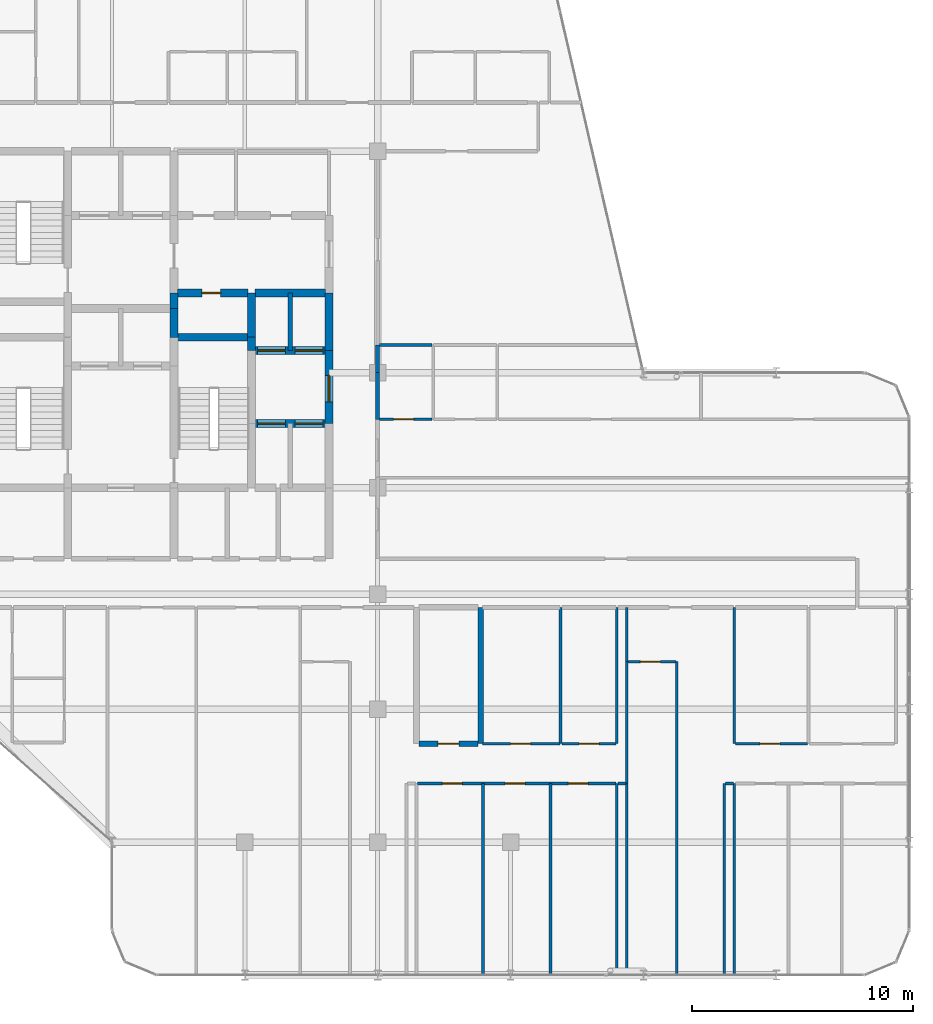
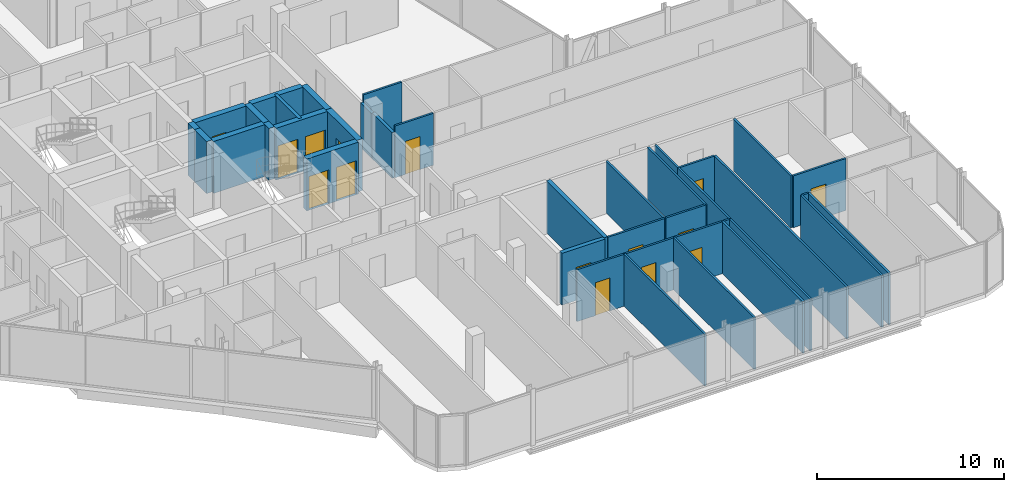
# One storey, part 25 of 29: 37 walls, 15 doors, 15 openings.
"""IFC4 building model written with IfcOpenShell, lengths in metres."""

from ifc_helpers import new_model, si_unit, direction, frame, frame_2d, origin, place, context, subcontext, project, spatial, rectangle, extrude, material, layer, layer_set, type_object, element, fill, save


model = new_model("IFC4")

# Units and contexts
model_context = context("Model", 3, precision=1e-05, world=origin(), true_north=direction((0.0, 1.0)))
body_context = subcontext(model_context, "Body", "Model", "MODEL_VIEW")
ifc_project = project(units=[si_unit("LENGTHUNIT", "METRE"), si_unit("AREAUNIT", "SQUARE_METRE"), si_unit("VOLUMEUNIT", "CUBIC_METRE"), si_unit("PLANEANGLEUNIT", "RADIAN"), si_unit("MASSUNIT", "GRAM", prefix="KILO")], contexts=[model_context])

# Site, building, storey
site_placement = place(None, origin())
site = spatial("IfcSite", under=ifc_project, at=site_placement, CompositionType="ELEMENT")
building_placement = place(site_placement, origin())
building = spatial("IfcBuilding", under=site, at=building_placement, Name="Keshet Zoharim Tower", CompositionType="ELEMENT")
storey_placement = place(building_placement, frame((0.0, 0.0, 214.300048828125)))
storey = spatial("IfcBuildingStorey", under=building, at=storey_placement, Name="L53", CompositionType="ELEMENT", Elevation=214.300048828125)

# Walls
ifc_material_1 = material(Name="Concrete C60/75", Category="concrete")
ifc_layer_1 = layer(ifc_material_1, 0.35009765625)
ifc_layer_set_1 = layer_set([ifc_layer_1], Name="Concrete C60/75")
wall_type_1 = type_object("IfcWallType", Name="WL-CORE-350", PredefinedType="SHEAR", material=ifc_layer_set_1)
wall_1_placement = place(storey_placement, frame((23.800048828125, 29.5, 0.0), z_axis=(0.0, 0.0, 1.0), x_axis=(0.0, 1.0, 0.0)))
element("IfcWall", 1, at=wall_1_placement, inside=storey, type_object=wall_type_1, Name="L53 Core Shear Wall 040", PredefinedType="SHEAR", context=body_context, shape_type="SweptSolid", body=[
    extrude(rectangle(XDim=1.300048828125, YDim=0.35009765625, at=frame_2d((0.64990234375, 0.0))), origin(), (0.0, 0.0, 1.0), 3.3798828125),
])
wall_2_placement = place(storey_placement, frame((23.800048828125, 30.800048828125, 0.0), z_axis=(0.0, 0.0, 1.0), x_axis=(0.0, 1.0, 0.0)))
element("IfcWall", 2, at=wall_2_placement, inside=storey, type_object=wall_type_1, Name="L53 Core Shear Wall 041", PredefinedType="SHEAR", context=body_context, shape_type="SweptSolid", body=[
    extrude(rectangle(XDim=0.699951171875, YDim=0.35009765625, at=frame_2d((0.35009765625, 0.0))), origin(), (0.0, 0.0, 1.0), 3.3798828125),
])
wall_3_placement = place(storey_placement, frame((27.300048828125, 28.89990234375, 0.0), z_axis=(0.0, 0.0, 1.0), x_axis=(0.0, 1.0, 0.0)))
element("IfcWall", 3, at=wall_3_placement, inside=storey, type_object=wall_type_1, Name="L53 Core Shear Wall 051", PredefinedType="SHEAR", context=body_context, shape_type="SweptSolid", body=[
    extrude(rectangle(XDim=0.60009765625, YDim=0.35009765625, at=frame_2d((0.300048828125, 0.0))), origin(), (0.0, 0.0, 1.0), 3.3798828125),
])
wall_4_placement = place(storey_placement, frame((27.300048828125, 29.5, 0.0), z_axis=(0.0, 0.0, 1.0), x_axis=(0.0, 1.0, 0.0)))
element("IfcWall", 4, at=wall_4_placement, inside=storey, type_object=wall_type_1, Name="L53 Core Shear Wall 052", PredefinedType="SHEAR", context=body_context, shape_type="SweptSolid", body=[
    extrude(rectangle(XDim=2.0, YDim=0.35009765625, at=frame_2d((1.0, 0.0))), origin(), (0.0, 0.0, 1.0), 3.3798828125),
])

# Wall, opening, door
wall_5_placement = place(storey_placement, frame((30.800048828125, 25.60009765625, 0.0), z_axis=(0.0, 0.0, 1.0), x_axis=(0.0, 1.0, 0.0)))
wall_5 = element("IfcWall", 5, at=wall_5_placement, inside=storey, type_object=wall_type_1, Name="L53 Core Shear Wall 063", PredefinedType="SHEAR", context=body_context, shape_type="SweptSolid", body=[
    extrude(rectangle(XDim=3.2998046875, YDim=0.35009765625, at=frame_2d((1.64990234375, 0.0))), origin(), (0.0, 0.0, 1.0), 3.3798828125),
])
opening_1_placement = place(wall_5_placement, frame((0.97802734375, 0.0, 0.0)))
opening_1 = element("IfcOpeningElement", 6, at=opening_1_placement, cuts=wall_5, Name="Opening D-F612", PredefinedType="OPENING", context=body_context, shape_type="SweptSolid", body=[
    extrude(rectangle(XDim=1.199951171875, YDim=2.199951171875, at=frame_2d((0.60009765625, 1.10009765625))), frame((0.0, 0.18505859375, 0.0), z_axis=(0.0, -1.0, 0.0), x_axis=(1.0, 0.0, 0.0)), (0.0, 0.0, 1.0), 0.3701171875),
])
ifc_material_2 = material(Name="Hardwood Timber", Category="wood")
door_type_1 = type_object("IfcDoorType", Name="DR-FD60-120", OperationType="NOTDEFINED", PredefinedType="DOOR", material=ifc_material_2)
door_1_placement = place(opening_1_placement, origin())
door_1 = element("IfcDoor", 7, at=door_1_placement, inside=storey, type_object=door_type_1, Name="L53 East Lift Lobby Fire Door", OperationType="SINGLE_SWING_LEFT", OverallHeight=2.199951171875, OverallWidth=1.199951171875, PredefinedType="DOOR", context=body_context, shape_type="SweptSolid", body=[
    extrude(rectangle(XDim=1.199951171875, YDim=2.199951171875, at=frame_2d((0.60009765625, 1.10009765625))), frame((0.0, 0.02490234375, 0.0), z_axis=(0.0, -1.0, 0.0), x_axis=(1.0, 0.0, 0.0)), (0.0, 0.0, 1.0), 0.050048828125),
])
fill(opening_1, door_1)

# Wall
wall_6_placement = place(storey_placement, frame((30.800048828125, 28.89990234375, 0.0), z_axis=(0.0, 0.0, 1.0), x_axis=(0.0, 1.0, 0.0)))
element("IfcWall", 8, at=wall_6_placement, inside=storey, type_object=wall_type_1, Name="L53 Core Shear Wall 064", PredefinedType="SHEAR", context=body_context, shape_type="SweptSolid", body=[
    extrude(rectangle(XDim=2.60009765625, YDim=0.35009765625, at=frame_2d((1.300048828125, 0.0))), origin(), (0.0, 0.0, 1.0), 3.3798828125),
])

# Wall, openings, doors
wall_7_placement = place(storey_placement, frame((27.4599609375, 25.60009765625, 0.0), z_axis=(0.0, 0.0, 1.0), x_axis=(1.0, 0.0, 0.0)))
wall_7 = element("IfcWall", 9, at=wall_7_placement, inside=storey, type_object=wall_type_1, Name="L53 Core Shear Wall 148", PredefinedType="SHEAR", context=body_context, shape_type="SweptSolid", body=[
    extrude(rectangle(XDim=3.179931640625, YDim=0.35009765625, at=frame_2d((1.58984375, 0.0))), origin(), (0.0, 0.0, 1.0), 3.3798828125),
])
opening_2_placement = place(wall_7_placement, frame((0.1201171875, 0.0, 0.0)))
opening_2 = element("IfcOpeningElement", 10, at=opening_2_placement, cuts=wall_7, Name="Opening LD-01", PredefinedType="OPENING", context=body_context, shape_type="SweptSolid", body=[
    extrude(rectangle(XDim=1.25, YDim=2.199951171875, at=frame_2d((0.625, 1.10009765625))), frame((0.0, 0.18505859375, 0.0), z_axis=(0.0, -1.0, 0.0), x_axis=(1.0, 0.0, 0.0)), (0.0, 0.0, 1.0), 0.3701171875),
])
opening_3_placement = place(wall_7_placement, frame((1.81005859375, 0.0, 0.0)))
opening_3 = element("IfcOpeningElement", 11, at=opening_3_placement, cuts=wall_7, Name="Opening LD-01", PredefinedType="OPENING", context=body_context, shape_type="SweptSolid", body=[
    extrude(rectangle(XDim=1.25, YDim=2.199951171875, at=frame_2d((0.625, 1.10009765625))), frame((0.0, 0.18505859375, 0.0), z_axis=(0.0, -1.0, 0.0), x_axis=(1.0, 0.0, 0.0)), (0.0, 0.0, 1.0), 0.3701171875),
])
ifc_material_3 = material(Name="Steel S355", Category="steel")
door_type_2 = type_object("IfcDoorType", Name="DR-LD01-125", OperationType="DOUBLE_DOOR_SLIDING", PredefinedType="DOOR", material=ifc_material_3)
door_2_placement = place(opening_2_placement, origin())
door_2 = element("IfcDoor", 12, at=door_2_placement, inside=storey, type_object=door_type_2, Name="L53 Passenger Lift Landing Door LF-07", OperationType="DOUBLE_DOOR_SLIDING", OverallHeight=2.199951171875, OverallWidth=1.25, PredefinedType="DOOR", context=body_context, shape_type="SweptSolid", body=[
    extrude(rectangle(XDim=1.25, YDim=2.199951171875, at=frame_2d((0.625, 1.10009765625))), frame((0.0, 0.02490234375, 0.0), z_axis=(0.0, -1.0, 0.0), x_axis=(1.0, 0.0, 0.0)), (0.0, 0.0, 1.0), 0.050048828125),
])
fill(opening_2, door_2)
door_3_placement = place(opening_3_placement, origin())
door_3 = element("IfcDoor", 13, at=door_3_placement, inside=storey, type_object=door_type_2, Name="L53 Passenger Lift Landing Door LF-08", OperationType="DOUBLE_DOOR_SLIDING", OverallHeight=2.199951171875, OverallWidth=1.25, PredefinedType="DOOR", context=body_context, shape_type="SweptSolid", body=[
    extrude(rectangle(XDim=1.25, YDim=2.199951171875, at=frame_2d((0.625, 1.10009765625))), frame((0.0, 0.02490234375, 0.0), z_axis=(0.0, -1.0, 0.0), x_axis=(1.0, 0.0, 0.0)), (0.0, 0.0, 1.0), 0.050048828125),
])
fill(opening_3, door_3)

wall_8_placement = place(storey_placement, frame((27.4599609375, 28.89990234375, 0.0), z_axis=(0.0, 0.0, 1.0), x_axis=(1.0, 0.0, 0.0)))
wall_8 = element("IfcWall", 14, at=wall_8_placement, inside=storey, type_object=wall_type_1, Name="L53 Core Shear Wall 159", PredefinedType="SHEAR", context=body_context, shape_type="SweptSolid", body=[
    extrude(rectangle(XDim=3.179931640625, YDim=0.35009765625, at=frame_2d((1.58984375, 0.0))), origin(), (0.0, 0.0, 1.0), 3.3798828125),
])
opening_4_placement = place(wall_8_placement, frame((0.1201171875, 0.0, 0.0)))
opening_4 = element("IfcOpeningElement", 15, at=opening_4_placement, cuts=wall_8, Name="Opening LD-01", PredefinedType="OPENING", context=body_context, shape_type="SweptSolid", body=[
    extrude(rectangle(XDim=1.25, YDim=2.199951171875, at=frame_2d((0.625, 1.10009765625))), frame((0.0, 0.18505859375, 0.0), z_axis=(0.0, -1.0, 0.0), x_axis=(1.0, 0.0, 0.0)), (0.0, 0.0, 1.0), 0.3701171875),
])
opening_5_placement = place(wall_8_placement, frame((1.81005859375, 0.0, 0.0)))
opening_5 = element("IfcOpeningElement", 16, at=opening_5_placement, cuts=wall_8, Name="Opening LD-01", PredefinedType="OPENING", context=body_context, shape_type="SweptSolid", body=[
    extrude(rectangle(XDim=1.25, YDim=2.199951171875, at=frame_2d((0.625, 1.10009765625))), frame((0.0, 0.18505859375, 0.0), z_axis=(0.0, -1.0, 0.0), x_axis=(1.0, 0.0, 0.0)), (0.0, 0.0, 1.0), 0.3701171875),
])
door_4_placement = place(opening_4_placement, origin())
door_4 = element("IfcDoor", 17, at=door_4_placement, inside=storey, type_object=door_type_2, Name="L53 Passenger Lift Landing Door LF-05", OperationType="DOUBLE_DOOR_SLIDING", OverallHeight=2.199951171875, OverallWidth=1.25, PredefinedType="DOOR", context=body_context, shape_type="SweptSolid", body=[
    extrude(rectangle(XDim=1.25, YDim=2.199951171875, at=frame_2d((0.625, 1.10009765625))), frame((0.0, 0.02490234375, 0.0), z_axis=(0.0, -1.0, 0.0), x_axis=(1.0, 0.0, 0.0)), (0.0, 0.0, 1.0), 0.050048828125),
])
fill(opening_4, door_4)
door_5_placement = place(opening_5_placement, origin())
door_5 = element("IfcDoor", 18, at=door_5_placement, inside=storey, type_object=door_type_2, Name="L53 Passenger Lift Landing Door LF-06", OperationType="DOUBLE_DOOR_SLIDING", OverallHeight=2.199951171875, OverallWidth=1.25, PredefinedType="DOOR", context=body_context, shape_type="SweptSolid", body=[
    extrude(rectangle(XDim=1.25, YDim=2.199951171875, at=frame_2d((0.625, 1.10009765625))), frame((0.0, 0.02490234375, 0.0), z_axis=(0.0, -1.0, 0.0), x_axis=(1.0, 0.0, 0.0)), (0.0, 0.0, 1.0), 0.050048828125),
])
fill(opening_5, door_5)

# Wall
wall_9_placement = place(storey_placement, frame((23.9599609375, 29.5, 0.0), z_axis=(0.0, 0.0, 1.0), x_axis=(1.0, 0.0, 0.0)))
element("IfcWall", 19, at=wall_9_placement, inside=storey, type_object=wall_type_1, Name="L53 Core Shear Wall 164", PredefinedType="SHEAR", context=body_context, shape_type="SweptSolid", body=[
    extrude(rectangle(XDim=3.179931640625, YDim=0.35009765625, at=frame_2d((1.58984375, 0.0))), origin(), (0.0, 0.0, 1.0), 3.3798828125),
])

# Wall, opening, door
wall_10_placement = place(storey_placement, frame((23.9599609375, 31.5, 0.0), z_axis=(0.0, 0.0, 1.0), x_axis=(1.0, 0.0, 0.0)))
wall_10 = element("IfcWall", 20, at=wall_10_placement, inside=storey, type_object=wall_type_1, Name="L53 Core Shear Wall 169", PredefinedType="SHEAR", context=body_context, shape_type="SweptSolid", body=[
    extrude(rectangle(XDim=3.179931640625, YDim=0.35009765625, at=frame_2d((1.58984375, 0.0))), origin(), (0.0, 0.0, 1.0), 3.3798828125),
])
opening_6_placement = place(wall_10_placement, frame((1.093994140625, 0.0, 0.0)))
opening_6 = element("IfcOpeningElement", 21, at=opening_6_placement, cuts=wall_10, Name="Opening D-RS85", PredefinedType="OPENING", context=body_context, shape_type="SweptSolid", body=[
    extrude(rectangle(XDim=0.85009765625, YDim=2.10009765625, at=frame_2d((0.425048828125, 1.050048828125))), frame((0.0, 0.18505859375, 0.0), z_axis=(0.0, -1.0, 0.0), x_axis=(1.0, 0.0, 0.0)), (0.0, 0.0, 1.0), 0.3701171875),
])
door_type_3 = type_object("IfcDoorType", Name="DR-RIS-085", OperationType="NOTDEFINED", PredefinedType="DOOR", material=ifc_material_2)
door_6_placement = place(opening_6_placement, origin())
door_6 = element("IfcDoor", 22, at=door_6_placement, inside=storey, type_object=door_type_3, Name="L53 Telecom Riser Access Cupboard Door", OperationType="SINGLE_SWING_LEFT", OverallHeight=2.10009765625, OverallWidth=0.85009765625, PredefinedType="DOOR", context=body_context, shape_type="SweptSolid", body=[
    extrude(rectangle(XDim=0.85009765625, YDim=2.10009765625, at=frame_2d((0.425048828125, 1.050048828125))), frame((0.0, 0.02490234375, 0.0), z_axis=(0.0, -1.0, 0.0), x_axis=(1.0, 0.0, 0.0)), (0.0, 0.0, 1.0), 0.050048828125),
])
fill(opening_6, door_6)

# Walls
wall_11_placement = place(storey_placement, frame((27.4599609375, 31.5, 0.0), z_axis=(0.0, 0.0, 1.0), x_axis=(1.0, 0.0, 0.0)))
element("IfcWall", 23, at=wall_11_placement, inside=storey, type_object=wall_type_1, Name="L53 Core Shear Wall 170", PredefinedType="SHEAR", context=body_context, shape_type="SweptSolid", body=[
    extrude(rectangle(XDim=3.179931640625, YDim=0.35009765625, at=frame_2d((1.58984375, 0.0))), origin(), (0.0, 0.0, 1.0), 3.3798828125),
])
ifc_material_4 = material(Name="Gypsum Plasterboard", Category="gypsum")
ifc_layer_2 = layer(ifc_material_4, 0.179931640625)
ifc_layer_set_2 = layer_set([ifc_layer_2], Name="Gypsum Plasterboard")
wall_type_2 = type_object("IfcWallType", Name="WL-CORR-180", PredefinedType="STANDARD", material=ifc_layer_set_2)
wall_12_placement = place(storey_placement, frame((33.0, 25.780029296875, 0.0), z_axis=(0.0, 0.0, 1.0), x_axis=(0.0, 1.0, 0.0)))
element("IfcWall", 24, at=wall_12_placement, inside=storey, type_object=wall_type_2, Name="L53 Interior Wall 070", PredefinedType="STANDARD", context=body_context, shape_type="SweptSolid", body=[
    extrude(rectangle(XDim=2.119873046875, YDim=0.179931640625, at=frame_2d((1.06005859375, 0.0))), origin(), (0.0, 0.0, 1.0), 2.97998046875),
])
wall_13_placement = place(storey_placement, frame((33.0, 27.89990234375, 0.0), z_axis=(0.0, 0.0, 1.0), x_axis=(0.0, 1.0, 0.0)))
element("IfcWall", 25, at=wall_13_placement, inside=storey, type_object=wall_type_2, Name="L53 Interior Wall 070 Part 2", PredefinedType="STANDARD", context=body_context, shape_type="SweptSolid", body=[
    extrude(rectangle(XDim=1.260009765625, YDim=0.179931640625, at=frame_2d((0.6298828125, 0.0))), origin(), (0.0, 0.0, 1.0), 2.8798828125),
])
ifc_material_5 = material(Name="Concrete C50/60", Category="concrete")
ifc_layer_3 = layer(ifc_material_5, 0.199951171875)
ifc_layer_set_3 = layer_set([ifc_layer_3], Name="Concrete C50/60")
wall_type_3 = type_object("IfcWallType", Name="WL-FIRE-200", PredefinedType="STANDARD", material=ifc_layer_set_3)
wall_14_placement = place(storey_placement, frame((29.050048828125, 28.89990234375, 0.0), z_axis=(0.0, 0.0, 1.0), x_axis=(0.0, 1.0, 0.0)))
element("IfcWall", 26, at=wall_14_placement, inside=storey, type_object=wall_type_3, Name="L53 Interior Wall 055", PredefinedType="STANDARD", context=body_context, shape_type="SweptSolid", body=[
    extrude(rectangle(XDim=2.60009765625, YDim=0.199951171875, at=frame_2d((1.300048828125, 0.0))), origin(), (0.0, 0.0, 1.0), 3.3798828125),
])
ifc_layer_4 = layer(ifc_material_5, 0.25)
ifc_layer_set_4 = layer_set([ifc_layer_4], Name="Concrete C50/60")
wall_type_4 = type_object("IfcWallType", Name="WL-MAMAD-250", PredefinedType="STANDARD", material=ifc_layer_set_4)
wall_15_placement = place(storey_placement, frame((37.64990234375, 11.14990234375, 0.0), z_axis=(0.0, 0.0, 1.0), x_axis=(0.0, 1.0, 0.0)))
element("IfcWall", 27, at=wall_15_placement, inside=storey, type_object=wall_type_4, Name="L53 Interior Wall 080", PredefinedType="STANDARD", context=body_context, shape_type="SweptSolid", body=[
    extrude(rectangle(XDim=6.150146484375, YDim=0.25, at=frame_2d((3.0751953125, 0.0))), origin(), (0.0, 0.0, 1.0), 3.3798828125),
])

# Wall, opening, door
wall_16_placement = place(storey_placement, frame((34.860107421875, 11.14990234375, 0.0), z_axis=(0.0, 0.0, 1.0), x_axis=(1.0, 0.0, 0.0)))
wall_16 = element("IfcWall", 28, at=wall_16_placement, inside=storey, type_object=wall_type_4, Name="L53 Interior Wall 108", PredefinedType="STANDARD", context=body_context, shape_type="SweptSolid", body=[
    extrude(rectangle(XDim=2.660888671875, YDim=0.25, at=frame_2d((1.33056640625, 0.0))), origin(), (0.0, 0.0, 1.0), 3.3798828125),
])
opening_7_placement = place(wall_16_placement, frame((0.85595703125, 0.0, 0.0)))
opening_7 = element("IfcOpeningElement", 29, at=opening_7_placement, cuts=wall_16, Name="Opening D-F695", PredefinedType="OPENING", context=body_context, shape_type="SweptSolid", body=[
    extrude(rectangle(XDim=0.949951171875, YDim=2.14990234375, at=frame_2d((0.47509765625, 1.074951171875))), frame((0.0, 0.135009765625, 0.0), z_axis=(0.0, -1.0, 0.0), x_axis=(1.0, 0.0, 0.0)), (0.0, 0.0, 1.0), 0.27001953125),
])
door_type_4 = type_object("IfcDoorType", Name="DR-FD60-095", OperationType="NOTDEFINED", PredefinedType="DOOR", material=ifc_material_2)
door_7_placement = place(opening_7_placement, origin())
door_7 = element("IfcDoor", 30, at=door_7_placement, inside=storey, type_object=door_type_4, Name="Apartment 5302 Study and Shelter Room Door", OperationType="SINGLE_SWING_RIGHT", OverallHeight=2.14990234375, OverallWidth=0.949951171875, PredefinedType="DOOR", context=body_context, shape_type="SweptSolid", body=[
    extrude(rectangle(XDim=0.949951171875, YDim=2.14990234375, at=frame_2d((0.47509765625, 1.074951171875))), frame((0.0, 0.02490234375, 0.0), z_axis=(0.0, -1.0, 0.0), x_axis=(1.0, 0.0, 0.0)), (0.0, 0.0, 1.0), 0.050048828125),
])
fill(opening_7, door_7)

# Walls
ifc_layer_5 = layer(ifc_material_4, 0.1201171875)
ifc_layer_set_5 = layer_set([ifc_layer_5], Name="Gypsum Plasterboard")
wall_type_5 = type_object("IfcWallType", Name="WL-PART-120", PredefinedType="PARTITIONING", material=ifc_layer_set_5)
for number, where, z_axis, x_axis, name in (
    (31, (37.75, 0.7099609375, 0.0), (0.0, 0.0, 1.0), (0.0, 1.0, 0.0), "L53 Interior Wall 082"),
    (32, (40.800048828125, 0.7099609375, 0.0), (0.0, 0.0, 1.0), (0.0, 1.0, 0.0), "L53 Interior Wall 086"),
    (33, (43.800048828125, 0.7099609375, 0.0), (0.0, 0.0, 1.0), (0.0, 1.0, 0.0), "L53 Interior Wall 088"),
    (34, (44.25, 0.7099609375, 0.0), (0.0, 0.0, 1.0), (0.0, 1.0, 0.0), "L53 Interior Wall 090"),
):
    element("IfcWall", number, at=place(storey_placement, frame(where, z_axis=z_axis, x_axis=x_axis)), inside=storey, type_object=wall_type_5, Name=name, PredefinedType="PARTITIONING", context=body_context, shape_type="SweptSolid", body=[
        extrude(rectangle(XDim=8.64013671875, YDim=0.1201171875, at=frame_2d((4.320068359375, 0.0))), origin(), (0.0, 0.0, 1.0), 3.3798828125),
    ])
wall_17_placement = place(storey_placement, frame((44.25, 9.35009765625, 0.0), z_axis=(0.0, 0.0, 1.0), x_axis=(0.0, 1.0, 0.0)))
element("IfcWall", 35, at=wall_17_placement, inside=storey, type_object=wall_type_5, Name="L53 Interior Wall 091", PredefinedType="PARTITIONING", context=body_context, shape_type="SweptSolid", body=[
    extrude(rectangle(XDim=5.5, YDim=0.1201171875, at=frame_2d((2.75, 0.0))), origin(), (0.0, 0.0, 1.0), 3.3798828125),
])
wall_18_placement = place(storey_placement, frame((44.25, 14.85009765625, 0.0), z_axis=(0.0, 0.0, 1.0), x_axis=(0.0, 1.0, 0.0)))
element("IfcWall", 36, at=wall_18_placement, inside=storey, type_object=wall_type_5, Name="L53 Interior Wall 092", PredefinedType="PARTITIONING", context=body_context, shape_type="SweptSolid", body=[
    extrude(rectangle(XDim=2.449951171875, YDim=0.1201171875, at=frame_2d((1.22509765625, 0.0))), origin(), (0.0, 0.0, 1.0), 3.3798828125),
])
wall_19_placement = place(storey_placement, frame((46.5, 0.7099609375, 0.0), z_axis=(0.0, 0.0, 1.0), x_axis=(0.0, 1.0, 0.0)))
element("IfcWall", 37, at=wall_19_placement, inside=storey, type_object=wall_type_5, Name="L53 Interior Wall 093", PredefinedType="PARTITIONING", context=body_context, shape_type="SweptSolid", body=[
    extrude(rectangle(XDim=14.14013671875, YDim=0.1201171875, at=frame_2d((7.070068359375, 0.0))), origin(), (0.0, 0.0, 1.0), 3.3798828125),
])
for number, where, z_axis, x_axis, name in (
    (38, (48.64990234375, 0.7099609375, 0.0), (0.0, 0.0, 1.0), (0.0, 1.0, 0.0), "L53 Interior Wall 095"),
    (39, (49.10009765625, 0.7099609375, 0.0), (0.0, 0.0, 1.0), (0.0, 1.0, 0.0), "L53 Interior Wall 096"),
):
    element("IfcWall", number, at=place(storey_placement, frame(where, z_axis=z_axis, x_axis=x_axis)), inside=storey, type_object=wall_type_5, Name=name, PredefinedType="PARTITIONING", context=body_context, shape_type="SweptSolid", body=[
        extrude(rectangle(XDim=8.64013671875, YDim=0.1201171875, at=frame_2d((4.320068359375, 0.0))), origin(), (0.0, 0.0, 1.0), 3.3798828125),
    ])
wall_20_placement = place(storey_placement, frame((49.10009765625, 11.14990234375, 0.0), z_axis=(0.0, 0.0, 1.0), x_axis=(0.0, 1.0, 0.0)))
element("IfcWall", 40, at=wall_20_placement, inside=storey, type_object=wall_type_5, Name="L53 Interior Wall 097", PredefinedType="PARTITIONING", context=body_context, shape_type="SweptSolid", body=[
    extrude(rectangle(XDim=6.150146484375, YDim=0.1201171875, at=frame_2d((3.0751953125, 0.0))), origin(), (0.0, 0.0, 1.0), 3.3798828125),
])

# Wall, openings, doors
wall_21_placement = place(storey_placement, frame((34.794921875, 9.35009765625, 0.0), z_axis=(0.0, 0.0, 1.0), x_axis=(1.0, 0.0, 0.0)))
wall_21 = element("IfcWall", 41, at=wall_21_placement, inside=storey, type_object=wall_type_5, Name="L53 Interior Wall 104", PredefinedType="PARTITIONING", context=body_context, shape_type="SweptSolid", body=[
    extrude(rectangle(XDim=8.969970703125, YDim=0.1201171875, at=frame_2d((4.48486328125, 0.0))), origin(), (0.0, 0.0, 1.0), 3.3798828125),
])
opening_8_placement = place(wall_21_placement, frame((1.118896484375, 0.0, 0.0)))
opening_8 = element("IfcOpeningElement", 42, at=opening_8_placement, cuts=wall_21, Name="Opening D-IN90", PredefinedType="OPENING", context=body_context, shape_type="SweptSolid", body=[
    extrude(rectangle(XDim=0.89990234375, YDim=2.14990234375, at=frame_2d((0.449951171875, 1.074951171875))), frame((0.0, 0.070068359375, 0.0), z_axis=(0.0, -1.0, 0.0), x_axis=(1.0, 0.0, 0.0)), (0.0, 0.0, 1.0), 0.14013671875),
])
opening_9_placement = place(wall_21_placement, frame((3.9619140625, 0.0, 0.0)))
opening_9 = element("IfcOpeningElement", 43, at=opening_9_placement, cuts=wall_21, Name="Opening D-IN90", PredefinedType="OPENING", context=body_context, shape_type="SweptSolid", body=[
    extrude(rectangle(XDim=0.89990234375, YDim=2.14990234375, at=frame_2d((0.449951171875, 1.074951171875))), frame((0.0, 0.070068359375, 0.0), z_axis=(0.0, -1.0, 0.0), x_axis=(1.0, 0.0, 0.0)), (0.0, 0.0, 1.0), 0.14013671875),
])
opening_10_placement = place(wall_21_placement, frame((6.80908203125, 0.0, 0.0)))
opening_10 = element("IfcOpeningElement", 44, at=opening_10_placement, cuts=wall_21, Name="Opening D-IN90", PredefinedType="OPENING", context=body_context, shape_type="SweptSolid", body=[
    extrude(rectangle(XDim=0.89990234375, YDim=2.14990234375, at=frame_2d((0.449951171875, 1.074951171875))), frame((0.0, 0.070068359375, 0.0), z_axis=(0.0, -1.0, 0.0), x_axis=(1.0, 0.0, 0.0)), (0.0, 0.0, 1.0), 0.14013671875),
])
door_type_5 = type_object("IfcDoorType", Name="DR-INT-090", OperationType="NOTDEFINED", PredefinedType="DOOR", material=ifc_material_2)
door_8_placement = place(opening_8_placement, origin())
door_8 = element("IfcDoor", 45, at=door_8_placement, inside=storey, type_object=door_type_5, Name="Apartment 5302 Bedroom 1 Door", OperationType="SINGLE_SWING_RIGHT", OverallHeight=2.14990234375, OverallWidth=0.89990234375, PredefinedType="DOOR", context=body_context, shape_type="SweptSolid", body=[
    extrude(rectangle(XDim=0.89990234375, YDim=2.14990234375, at=frame_2d((0.449951171875, 1.074951171875))), frame((0.0, 0.02490234375, 0.0), z_axis=(0.0, -1.0, 0.0), x_axis=(1.0, 0.0, 0.0)), (0.0, 0.0, 1.0), 0.050048828125),
])
fill(opening_8, door_8)
door_9_placement = place(opening_9_placement, origin())
door_9 = element("IfcDoor", 46, at=door_9_placement, inside=storey, type_object=door_type_5, Name="Apartment 5302 Bedroom 2 Door", OperationType="SINGLE_SWING_LEFT", OverallHeight=2.14990234375, OverallWidth=0.89990234375, PredefinedType="DOOR", context=body_context, shape_type="SweptSolid", body=[
    extrude(rectangle(XDim=0.89990234375, YDim=2.14990234375, at=frame_2d((0.449951171875, 1.074951171875))), frame((0.0, 0.02490234375, 0.0), z_axis=(0.0, -1.0, 0.0), x_axis=(1.0, 0.0, 0.0)), (0.0, 0.0, 1.0), 0.050048828125),
])
fill(opening_9, door_9)
door_10_placement = place(opening_10_placement, origin())
door_10 = element("IfcDoor", 47, at=door_10_placement, inside=storey, type_object=door_type_5, Name="Apartment 5302 Bedroom 3 Door", OperationType="SINGLE_SWING_RIGHT", OverallHeight=2.14990234375, OverallWidth=0.89990234375, PredefinedType="DOOR", context=body_context, shape_type="SweptSolid", body=[
    extrude(rectangle(XDim=0.89990234375, YDim=2.14990234375, at=frame_2d((0.449951171875, 1.074951171875))), frame((0.0, 0.02490234375, 0.0), z_axis=(0.0, -1.0, 0.0), x_axis=(1.0, 0.0, 0.0)), (0.0, 0.0, 1.0), 0.050048828125),
])
fill(opening_10, door_10)

# Walls
wall_22_placement = place(storey_placement, frame((43.85498046875, 9.35009765625, 0.0), z_axis=(0.0, 0.0, 1.0), x_axis=(1.0, 0.0, 0.0)))
element("IfcWall", 48, at=wall_22_placement, inside=storey, type_object=wall_type_5, Name="L53 Interior Wall 105", PredefinedType="PARTITIONING", context=body_context, shape_type="SweptSolid", body=[
    extrude(rectangle(XDim=0.360107421875, YDim=0.1201171875, at=frame_2d((0.18017578125, 0.0))), origin(), (0.0, 0.0, 1.0), 3.3798828125),
])
wall_23_placement = place(storey_placement, frame((48.705078125, 9.35009765625, 0.0), z_axis=(0.0, 0.0, 1.0), x_axis=(1.0, 0.0, 0.0)))
element("IfcWall", 49, at=wall_23_placement, inside=storey, type_object=wall_type_5, Name="L53 Interior Wall 106", PredefinedType="PARTITIONING", context=body_context, shape_type="SweptSolid", body=[
    extrude(rectangle(XDim=0.35986328125, YDim=0.1201171875, at=frame_2d((0.179931640625, 0.0))), origin(), (0.0, 0.0, 1.0), 3.3798828125),
])

# Wall, opening, door
wall_24_placement = place(storey_placement, frame((37.740966796875, 11.14990234375, 0.0), z_axis=(0.0, 0.0, 1.0), x_axis=(1.0, 0.0, 0.0)))
wall_24 = element("IfcWall", 50, at=wall_24_placement, inside=storey, type_object=wall_type_5, Name="L53 Interior Wall 109", PredefinedType="PARTITIONING", context=body_context, shape_type="SweptSolid", body=[
    extrude(rectangle(XDim=3.487060546875, YDim=0.1201171875, at=frame_2d((1.74365234375, 0.0))), origin(), (0.0, 0.0, 1.0), 3.3798828125),
])
opening_11_placement = place(wall_24_placement, frame((1.260986328125, 0.0, 0.0)))
opening_11 = element("IfcOpeningElement", 51, at=opening_11_placement, cuts=wall_24, Name="Opening D-IN90", PredefinedType="OPENING", context=body_context, shape_type="SweptSolid", body=[
    extrude(rectangle(XDim=0.89990234375, YDim=2.14990234375, at=frame_2d((0.449951171875, 1.074951171875))), frame((0.0, 0.070068359375, 0.0), z_axis=(0.0, -1.0, 0.0), x_axis=(1.0, 0.0, 0.0)), (0.0, 0.0, 1.0), 0.14013671875),
])
door_11_placement = place(opening_11_placement, origin())
door_11 = element("IfcDoor", 52, at=door_11_placement, inside=storey, type_object=door_type_5, Name="Apartment 5302 Kitchen Door", OperationType="SINGLE_SWING_LEFT", OverallHeight=2.14990234375, OverallWidth=0.89990234375, PredefinedType="DOOR", context=body_context, shape_type="SweptSolid", body=[
    extrude(rectangle(XDim=0.89990234375, YDim=2.14990234375, at=frame_2d((0.449951171875, 1.074951171875))), frame((0.0, 0.02490234375, 0.0), z_axis=(0.0, -1.0, 0.0), x_axis=(1.0, 0.0, 0.0)), (0.0, 0.0, 1.0), 0.050048828125),
])
fill(opening_11, door_11)

wall_25_placement = place(storey_placement, frame((49.155029296875, 11.14990234375, 0.0), z_axis=(0.0, 0.0, 1.0), x_axis=(1.0, 0.0, 0.0)))
wall_25 = element("IfcWall", 53, at=wall_25_placement, inside=storey, type_object=wall_type_5, Name="L53 Interior Wall 111", PredefinedType="PARTITIONING", context=body_context, shape_type="SweptSolid", body=[
    extrude(rectangle(XDim=3.259033203125, YDim=0.1201171875, at=frame_2d((1.62939453125, 0.0))), origin(), (0.0, 0.0, 1.0), 3.3798828125),
])
opening_12_placement = place(wall_25_placement, frame((1.10498046875, 0.0, 0.0)))
opening_12 = element("IfcOpeningElement", 54, at=opening_12_placement, cuts=wall_25, Name="Opening D-IN90", PredefinedType="OPENING", context=body_context, shape_type="SweptSolid", body=[
    extrude(rectangle(XDim=0.89990234375, YDim=2.14990234375, at=frame_2d((0.449951171875, 1.074951171875))), frame((0.0, 0.070068359375, 0.0), z_axis=(0.0, -1.0, 0.0), x_axis=(1.0, 0.0, 0.0)), (0.0, 0.0, 1.0), 0.14013671875),
])
door_12_placement = place(opening_12_placement, origin())
door_12 = element("IfcDoor", 55, at=door_12_placement, inside=storey, type_object=door_type_5, Name="Apartment 5303 Kitchen Door", OperationType="SINGLE_SWING_LEFT", OverallHeight=2.14990234375, OverallWidth=0.89990234375, PredefinedType="DOOR", context=body_context, shape_type="SweptSolid", body=[
    extrude(rectangle(XDim=0.89990234375, YDim=2.14990234375, at=frame_2d((0.449951171875, 1.074951171875))), frame((0.0, 0.02490234375, 0.0), z_axis=(0.0, -1.0, 0.0), x_axis=(1.0, 0.0, 0.0)), (0.0, 0.0, 1.0), 0.050048828125),
])
fill(opening_12, door_12)

wall_26_placement = place(storey_placement, frame((44.304931640625, 14.85009765625, 0.0), z_axis=(0.0, 0.0, 1.0), x_axis=(1.0, 0.0, 0.0)))
wall_26 = element("IfcWall", 56, at=wall_26_placement, inside=storey, type_object=wall_type_5, Name="L53 Interior Wall 116", PredefinedType="PARTITIONING", context=body_context, shape_type="SweptSolid", body=[
    extrude(rectangle(XDim=2.16015625, YDim=0.1201171875, at=frame_2d((1.080078125, 0.0))), origin(), (0.0, 0.0, 1.0), 3.3798828125),
])
opening_13_placement = place(wall_26_placement, frame((0.552978515625, 0.0, 0.0)))
opening_13 = element("IfcOpeningElement", 57, at=opening_13_placement, cuts=wall_26, Name="Opening D-IN90", PredefinedType="OPENING", context=body_context, shape_type="SweptSolid", body=[
    extrude(rectangle(XDim=0.89990234375, YDim=2.14990234375, at=frame_2d((0.449951171875, 1.074951171875))), frame((0.0, 0.070068359375, 0.0), z_axis=(0.0, -1.0, 0.0), x_axis=(1.0, 0.0, 0.0)), (0.0, 0.0, 1.0), 0.14013671875),
])
door_13_placement = place(opening_13_placement, origin())
door_13 = element("IfcDoor", 58, at=door_13_placement, inside=storey, type_object=door_type_5, Name="Apartment 5303 Formal Dining Room Door", OperationType="SINGLE_SWING_RIGHT", OverallHeight=2.14990234375, OverallWidth=0.89990234375, PredefinedType="DOOR", context=body_context, shape_type="SweptSolid", body=[
    extrude(rectangle(XDim=0.89990234375, YDim=2.14990234375, at=frame_2d((0.449951171875, 1.074951171875))), frame((0.0, 0.02490234375, 0.0), z_axis=(0.0, -1.0, 0.0), x_axis=(1.0, 0.0, 0.0)), (0.0, 0.0, 1.0), 0.050048828125),
])
fill(opening_13, door_13)

wall_27_placement = place(storey_placement, frame((33.074951171875, 25.800048828125, 0.0), z_axis=(0.0, 0.0, 1.0), x_axis=(1.0, 0.0, 0.0)))
wall_27 = element("IfcWall", 59, at=wall_27_placement, inside=storey, type_object=wall_type_5, Name="L53 Interior Wall 151", PredefinedType="PARTITIONING", context=body_context, shape_type="SweptSolid", body=[
    extrude(rectangle(XDim=2.364013671875, YDim=0.1201171875, at=frame_2d((1.18212890625, 0.0))), origin(), (0.0, 0.0, 1.0), 3.3798828125),
])
opening_14_placement = place(wall_27_placement, frame((0.64111328125, 0.0, 0.0)))
opening_14 = element("IfcOpeningElement", 60, at=opening_14_placement, cuts=wall_27, Name="Opening D-IN90", PredefinedType="OPENING", context=body_context, shape_type="SweptSolid", body=[
    extrude(rectangle(XDim=0.89990234375, YDim=2.14990234375, at=frame_2d((0.449951171875, 1.074951171875))), frame((0.0, 0.070068359375, 0.0), z_axis=(0.0, -1.0, 0.0), x_axis=(1.0, 0.0, 0.0)), (0.0, 0.0, 1.0), 0.14013671875),
])
door_14_placement = place(opening_14_placement, origin())
door_14 = element("IfcDoor", 61, at=door_14_placement, inside=storey, type_object=door_type_5, Name="Apartment 5309 Kitchen Door", OperationType="SINGLE_SWING_LEFT", OverallHeight=2.14990234375, OverallWidth=0.89990234375, PredefinedType="DOOR", context=body_context, shape_type="SweptSolid", body=[
    extrude(rectangle(XDim=0.89990234375, YDim=2.14990234375, at=frame_2d((0.449951171875, 1.074951171875))), frame((0.0, 0.02490234375, 0.0), z_axis=(0.0, -1.0, 0.0), x_axis=(1.0, 0.0, 0.0)), (0.0, 0.0, 1.0), 0.050048828125),
])
fill(opening_14, door_14)

# Walls
wall_28_placement = place(storey_placement, frame((33.074951171875, 29.14990234375, 0.0), z_axis=(0.0, 0.0, 1.0), x_axis=(1.0, 0.0, 0.0)))
element("IfcWall", 62, at=wall_28_placement, inside=storey, type_object=wall_type_5, Name="L53 Interior Wall 160", PredefinedType="PARTITIONING", context=body_context, shape_type="SweptSolid", body=[
    extrude(rectangle(XDim=2.364013671875, YDim=0.1201171875, at=frame_2d((1.18212890625, 0.0))), origin(), (0.0, 0.0, 1.0), 3.3798828125),
])
ifc_layer_6 = layer(ifc_material_4, 0.1201171875)
ifc_layer_set_6 = layer_set([ifc_layer_6], Name="Gypsum Plasterboard")
wall_type_6 = type_object("IfcWallType", Name="WL-WET-120", PredefinedType="PARTITIONING", material=ifc_layer_set_6)
for number, where, z_axis, x_axis, name in (
    (63, (41.25, 11.14990234375, 0.0), (0.0, 0.0, 1.0), (0.0, 1.0, 0.0), "L53 Interior Wall 087"),
    (64, (43.800048828125, 11.14990234375, 0.0), (0.0, 0.0, 1.0), (0.0, 1.0, 0.0), "L53 Interior Wall 089"),
):
    element("IfcWall", number, at=place(storey_placement, frame(where, z_axis=z_axis, x_axis=x_axis)), inside=storey, type_object=wall_type_6, Name=name, PredefinedType="PARTITIONING", context=body_context, shape_type="SweptSolid", body=[
        extrude(rectangle(XDim=6.150146484375, YDim=0.1201171875, at=frame_2d((3.0751953125, 0.0))), origin(), (0.0, 0.0, 1.0), 3.3798828125),
    ])

# Wall, opening, door
wall_29_placement = place(storey_placement, frame((41.318115234375, 11.14990234375, 0.0), z_axis=(0.0, 0.0, 1.0), x_axis=(1.0, 0.0, 0.0)))
wall_29 = element("IfcWall", 65, at=wall_29_placement, inside=storey, type_object=wall_type_6, Name="L53 Interior Wall 110", PredefinedType="PARTITIONING", context=body_context, shape_type="SweptSolid", body=[
    extrude(rectangle(XDim=2.44677734375, YDim=0.1201171875, at=frame_2d((1.223388671875, 0.0))), origin(), (0.0, 0.0, 1.0), 3.3798828125),
])
opening_15_placement = place(wall_29_placement, frame((0.77392578125, 0.0, 0.0)))
opening_15 = element("IfcOpeningElement", 66, at=opening_15_placement, cuts=wall_29, Name="Opening D-WT90", PredefinedType="OPENING", context=body_context, shape_type="SweptSolid", body=[
    extrude(rectangle(XDim=0.89990234375, YDim=2.10009765625, at=frame_2d((0.449951171875, 1.050048828125))), frame((0.0, 0.070068359375, 0.0), z_axis=(0.0, -1.0, 0.0), x_axis=(1.0, 0.0, 0.0)), (0.0, 0.0, 1.0), 0.14013671875),
])
door_type_6 = type_object("IfcDoorType", Name="DR-WET-090", OperationType="NOTDEFINED", PredefinedType="DOOR", material=ifc_material_2)
door_15_placement = place(opening_15_placement, origin())
door_15 = element("IfcDoor", 67, at=door_15_placement, inside=storey, type_object=door_type_6, Name="Apartment 5302 Bathroom Door", OperationType="SINGLE_SWING_RIGHT", OverallHeight=2.10009765625, OverallWidth=0.89990234375, PredefinedType="DOOR", context=body_context, shape_type="SweptSolid", body=[
    extrude(rectangle(XDim=0.89990234375, YDim=2.10009765625, at=frame_2d((0.449951171875, 1.050048828125))), frame((0.0, 0.02490234375, 0.0), z_axis=(0.0, -1.0, 0.0), x_axis=(1.0, 0.0, 0.0)), (0.0, 0.0, 1.0), 0.050048828125),
])
fill(opening_15, door_15)

save(model, "model.ifc")
